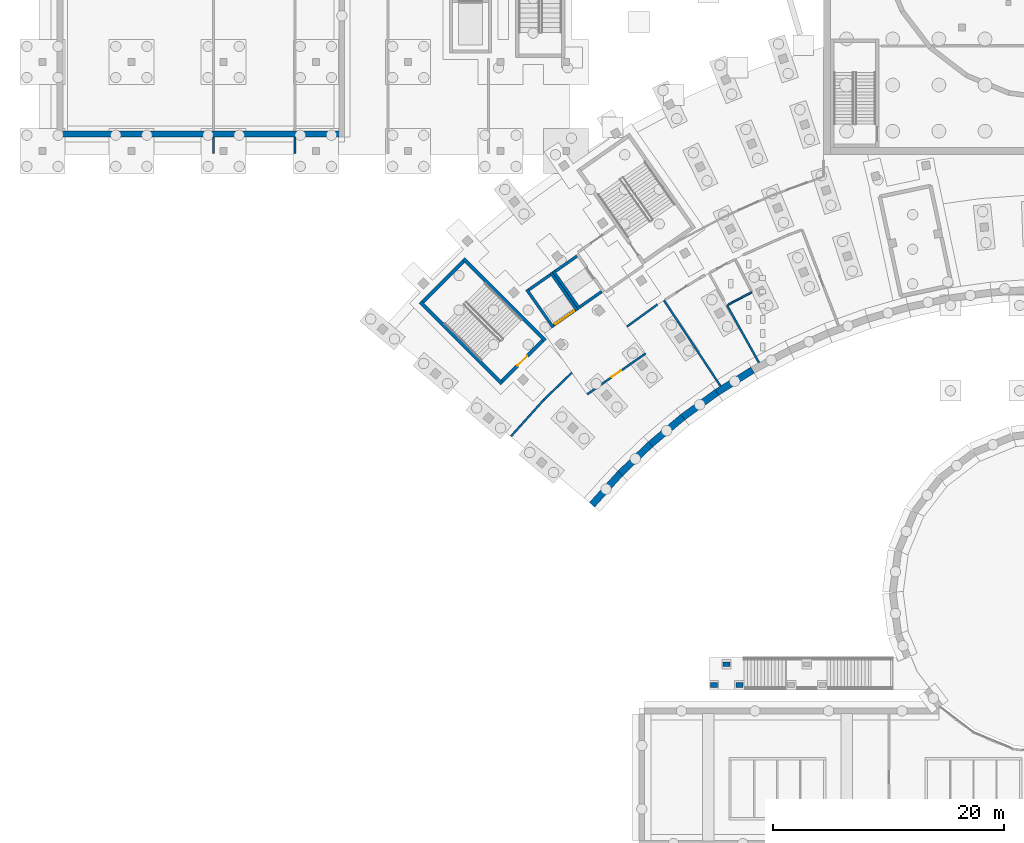
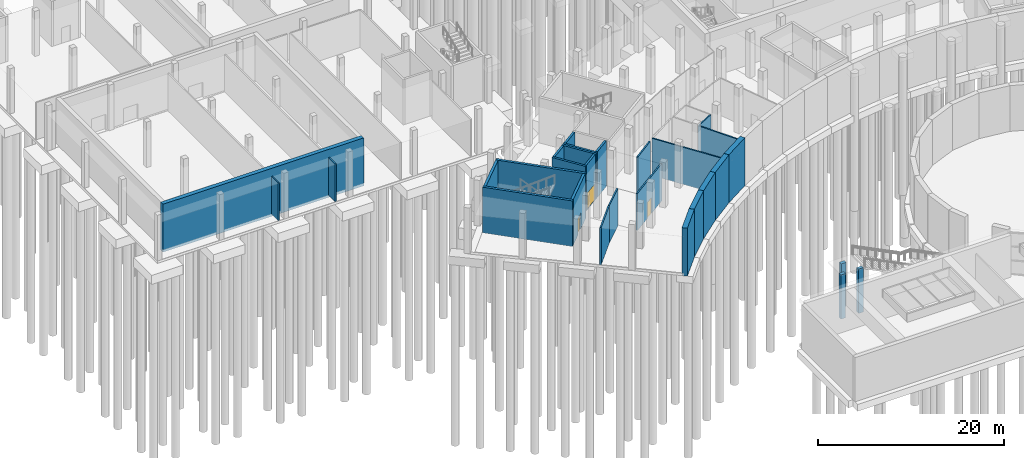
# One storey, part 19 of 66: 29 walls, 3 doors, 3 openings.
"""IFC4 building model written with IfcOpenShell, lengths in metres."""

from ifc_helpers import new_model, si_unit, direction, frame, frame_2d, origin, place, context, subcontext, project, spatial, rectangle, extrude, material, layer, layer_set, type_object, element, fill, save


model = new_model("IFC4")

# Units and contexts
model_context = context("Model", 3, precision=1e-05, world=origin(), true_north=direction((0.0, 1.0)))
body_context = subcontext(model_context, "Body", "Model", "MODEL_VIEW")
ifc_project = project(units=[si_unit("LENGTHUNIT", "METRE"), si_unit("AREAUNIT", "SQUARE_METRE"), si_unit("VOLUMEUNIT", "CUBIC_METRE"), si_unit("PLANEANGLEUNIT", "RADIAN"), si_unit("MASSUNIT", "GRAM", prefix="KILO")], contexts=[model_context])

# Site, building, storey
site_placement = place(None, origin())
site = spatial("IfcSite", under=ifc_project, at=site_placement, CompositionType="ELEMENT")
building_placement = place(site_placement, origin())
building = spatial("IfcBuilding", under=site, at=building_placement, Name="Lunette Opera House", CompositionType="ELEMENT")
storey_placement = place(building_placement, frame((0.0, 0.0, -6.0)))
storey = spatial("IfcBuildingStorey", under=building, at=storey_placement, Name="B1", CompositionType="ELEMENT", Elevation=-6.0)

# Walls
ifc_material_1 = material(Name="Plastered clay blockwork", Category="masonry")
ifc_layer_1 = layer(ifc_material_1, 0.175048828125)
ifc_layer_set_1 = layer_set([ifc_layer_1], Name="Plastered clay blockwork")
wall_type_1 = type_object("IfcWallType", Name="ACOUSTIC BLOCK PARTITION 175", PredefinedType="PARTITIONING", material=ifc_layer_set_1)
for number, where, z_axis, x_axis, name in (
    (1, (23.126953125, 65.4990234375, 0.0), (0.0, 0.0, 1.0), (0.0, -1.0, 0.0), "Partition Chorus Locker Room"),
    (2, (30.18603515625, 65.4990234375, 0.0), (0.0, 0.0, 1.0), (0.0, -1.0, 0.0), "Partition Rehearsal Wing Plant Room"),
):
    element("IfcWall", number, at=place(storey_placement, frame(where, z_axis=z_axis, x_axis=x_axis)), inside=storey, type_object=wall_type_1, Name=name, PredefinedType="PARTITIONING", context=body_context, shape_type="SweptSolid", body=[
        extrude(rectangle(XDim=1.448974609375, YDim=0.175048828125, at=frame_2d((0.724609375, 0.0))), origin(), (0.0, 0.0, 1.0), 4.949951171875),
    ])
wall_1_placement = place(storey_placement, frame((67.069091796875, 43.909912109375, 0.0), z_axis=(0.0, 0.0, 1.0), x_axis=(-0.550119419118, 0.835085998391, 0.0)))
element("IfcWall", 3, at=wall_1_placement, inside=storey, type_object=wall_type_1, Name="Partition Crescent Plant Room", PredefinedType="PARTITIONING", context=body_context, shape_type="SweptSolid", body=[
    extrude(rectangle(XDim=8.896240234375, YDim=0.175048828125, at=frame_2d((4.4482421875, 0.0))), origin(), (0.0, 0.0, 1.0), 4.8798828125),
])
wall_2_placement = place(storey_placement, frame((70.408935546875, 45.929931640625, 0.0), z_axis=(0.0, 0.0, 1.0), x_axis=(-0.486704961132, 0.873566414653, 0.0)))
element("IfcWall", 4, at=wall_2_placement, inside=storey, type_object=wall_type_1, Name="Partition Refuse Store", PredefinedType="PARTITIONING", context=body_context, shape_type="SweptSolid", body=[
    extrude(rectangle(XDim=5.697509765625, YDim=0.175048828125, at=frame_2d((2.8486328125, 0.0))), origin(), (0.0, 0.0, 1.0), 4.8798828125),
])

# Wall, opening, door
wall_3_placement = place(storey_placement, frame((60.5859375, 46.739990234375, 0.0), z_axis=(0.0, 0.0, 1.0), x_axis=(-0.81912644488, -0.573612994359, 0.0)))
wall_3 = element("IfcWall", 5, at=wall_3_placement, inside=storey, type_object=wall_type_1, Name="Partition Crescent Plant Room", PredefinedType="PARTITIONING", context=body_context, shape_type="SweptSolid", body=[
    extrude(rectangle(XDim=6.19921875, YDim=0.175048828125, at=frame_2d((3.099609375, 0.0))), origin(), (0.0, 0.0, 1.0), 4.8798828125),
])
opening_1_placement = place(wall_3_placement, frame((2.60009765625, 0.0, 0.0)))
opening_1 = element("IfcOpeningElement", 6, at=opening_1_placement, cuts=wall_3, Name="Opening FC-D3010", PredefinedType="OPENING", context=body_context, shape_type="SweptSolid", body=[
    extrude(rectangle(XDim=1.0, YDim=2.10009765625, at=frame_2d((0.5, 1.050048828125))), frame((0.0, 0.099609375, 0.0), z_axis=(0.0, -1.0, 0.0), x_axis=(1.0, 0.0, 0.0)), (0.0, 0.0, 1.0), 0.198974609375),
])
ifc_material_2 = material(Name="Timber", Category="wood")
door_type_1 = type_object("IfcDoorType", Name="FLUSH DOOR 1000 X 2100", OperationType="SINGLE_SWING_LEFT", PredefinedType="DOOR", material=ifc_material_2)
door_1_placement = place(opening_1_placement, origin())
door_1 = element("IfcDoor", 7, at=door_1_placement, inside=storey, type_object=door_type_1, Name="Crescent Plant Room door", OperationType="SINGLE_SWING_RIGHT", OverallHeight=2.10009765625, OverallWidth=1.0, PredefinedType="DOOR", context=body_context, shape_type="SweptSolid", body=[
    extrude(rectangle(XDim=1.0, YDim=2.10009765625, at=frame_2d((0.5, 1.050048828125))), frame((0.0, 0.02490234375, 0.0), z_axis=(0.0, -1.0, 0.0), x_axis=(1.0, 0.0, 0.0)), (0.0, 0.0, 1.0), 0.050048828125),
])
fill(opening_1, door_1)

# Walls
wall_4_placement = place(storey_placement, frame((51.760986328125, 42.720947265625, 0.0), z_axis=(0.0, 0.0, 1.0), x_axis=(-0.669136395798, -0.743139612602, 0.0)))
element("IfcWall", 8, at=wall_4_placement, inside=storey, type_object=wall_type_1, Name="Partition Crescent Plant Room", PredefinedType="PARTITIONING", context=body_context, shape_type="SweptSolid", body=[
    extrude(rectangle(XDim=4.24267578125, YDim=0.175048828125, at=frame_2d((2.121337890625, 0.0))), origin(), (0.0, 0.0, 1.0), 4.8798828125),
])
wall_5_placement = place(storey_placement, frame((54.18896484375, 45.06689453125, 0.0), z_axis=(0.0, 0.0, 1.0), x_axis=(-0.719150966755, -0.694853860186, 0.0)))
element("IfcWall", 9, at=wall_5_placement, inside=storey, type_object=wall_type_1, Name="Partition Crescent Plant Room", PredefinedType="PARTITIONING", context=body_context, shape_type="SweptSolid", body=[
    extrude(rectangle(XDim=3.376220703125, YDim=0.175048828125, at=frame_2d((1.68798828125, 0.0))), origin(), (0.0, 0.0, 1.0), 4.8798828125),
])
wall_6_placement = place(storey_placement, frame((61.610107421875, 50.986083984375, 0.0), z_axis=(0.0, 0.0, 1.0), x_axis=(-0.808971364307, -0.587848051567, 0.0)))
element("IfcWall", 10, at=wall_6_placement, inside=storey, type_object=wall_type_1, Name="Partition Crescent Plant Room", PredefinedType="PARTITIONING", context=body_context, shape_type="SweptSolid", body=[
    extrude(rectangle(XDim=3.274658203125, YDim=0.175048828125, at=frame_2d((1.63720703125, 0.0))), origin(), (0.0, 0.0, 1.0), 4.8798828125),
])
ifc_material_3 = material(Name="Plastered clay blockwork", Category="masonry")
ifc_layer_2 = layer(ifc_material_3, 0.14990234375)
ifc_layer_set_2 = layer_set([ifc_layer_2], Name="Plastered clay blockwork")
wall_type_2 = type_object("IfcWallType", Name="BLOCK PARTITION 150", PredefinedType="PARTITIONING", material=ifc_layer_set_2)
wall_7_placement = place(storey_placement, frame((67.714111328125, 50.947998046875, 0.0), z_axis=(0.0, 0.0, 1.0), x_axis=(0.882658173398, 0.470015477334, 0.0)))
element("IfcWall", 11, at=wall_7_placement, inside=storey, type_object=wall_type_2, Name="Partition Accessible WC Lower", PredefinedType="PARTITIONING", context=body_context, shape_type="SweptSolid", body=[
    extrude(rectangle(XDim=2.323486328125, YDim=0.14990234375, at=frame_2d((1.16162109375, 0.0))), origin(), (0.0, 0.0, 1.0), 4.8798828125),
])
ifc_material_4 = material(Name="Concrete C35/45", Category="concrete")
ifc_layer_3 = layer(ifc_material_4, 0.39990234375)
ifc_layer_set_3 = layer_set([ifc_layer_3], Name="Concrete C35/45")
wall_type_3 = type_object("IfcWallType", Name="RAMP PIER WALL 400", PredefinedType="SOLIDWALL", material=ifc_layer_set_3)
for number, where, z_axis, x_axis, name in (
    (12, (66.199951171875, 18.0, 0.0), (0.0, 0.0, 1.0), (1.0, 0.0, 0.0), "Bearing pier FS1-L2-P1"),
    (13, (68.39990234375, 18.0, 0.0), (0.0, 0.0, 1.0), (1.0, 0.0, 0.0), "Bearing pier FS1-L2-P2"),
):
    element("IfcWall", number, at=place(storey_placement, frame(where, z_axis=z_axis, x_axis=x_axis)), inside=storey, type_object=wall_type_3, Name=name, PredefinedType="SOLIDWALL", context=body_context, shape_type="SweptSolid", body=[
        extrude(rectangle(XDim=0.60009765625, YDim=0.39990234375, at=frame_2d((0.300048828125, 0.0))), origin(), (0.0, 0.0, 1.0), 5.800048828125),
    ])
wall_8_placement = place(storey_placement, frame((67.300048828125, 19.800048828125, 0.0), z_axis=(0.0, 0.0, 1.0), x_axis=(1.0, 0.0, 0.0)))
element("IfcWall", 14, at=wall_8_placement, inside=storey, type_object=wall_type_3, Name="Bearing pier FS1-L2-P3", PredefinedType="SOLIDWALL", context=body_context, shape_type="SweptSolid", body=[
    extrude(rectangle(XDim=0.599853515625, YDim=0.39990234375, at=frame_2d((0.2998046875, 0.0))), origin(), (0.0, 0.0, 1.0), 5.800048828125),
])
ifc_material_5 = material(Name="Concrete C35/45", Category="concrete")
ifc_layer_4 = layer(ifc_material_5, 0.25)
ifc_layer_set_4 = layer_set([ifc_layer_4], Name="Concrete C35/45")
wall_type_4 = type_object("IfcWallType", Name="RC LIFT SHAFT WALL 250", PredefinedType="SOLIDWALL", material=ifc_layer_set_4)
wall_9_placement = place(storey_placement, frame((54.623046875, 55.1689453125, 0.0), z_axis=(0.0, 0.0, 1.0), x_axis=(-0.819226933165, -0.573469469089, 0.0)))
element("IfcWall", 15, at=wall_9_placement, inside=storey, type_object=wall_type_4, Name="FL2 shaft wall 2", PredefinedType="SOLIDWALL", context=body_context, shape_type="SweptSolid", body=[
    extrude(rectangle(XDim=2.2998046875, YDim=0.25, at=frame_2d((1.14990234375, 0.0))), origin(), (0.0, 0.0, 1.0), 6.0),
])
wall_10_placement = place(storey_placement, frame((52.56494140625, 53.881103515625, 0.0), z_axis=(0.0, 0.0, 1.0), x_axis=(0.573572956461, -0.819154480923, 0.0)))
element("IfcWall", 16, at=wall_10_placement, inside=storey, type_object=wall_type_4, Name="FL2 shaft wall 3", PredefinedType="SOLIDWALL", context=body_context, shape_type="SweptSolid", body=[
    extrude(rectangle(XDim=3.99951171875, YDim=0.25, at=frame_2d((1.999755859375, 0.0))), origin(), (0.0, 0.0, 1.0), 6.0),
])
wall_11_placement = place(storey_placement, frame((54.889892578125, 50.779052734375, 0.0), z_axis=(0.0, 0.0, 1.0), x_axis=(0.819366508838, 0.573270027295, 0.0)))
element("IfcWall", 17, at=wall_11_placement, inside=storey, type_object=wall_type_4, Name="FL2 shaft wall 4", PredefinedType="SOLIDWALL", context=body_context, shape_type="SweptSolid", body=[
    extrude(rectangle(XDim=2.300537109375, YDim=0.25, at=frame_2d((1.150390625, 0.0))), origin(), (0.0, 0.0, 1.0), 6.0),
])
wall_12_placement = place(storey_placement, frame((54.655029296875, 50.4609375, 0.0), z_axis=(0.0, 0.0, 1.0), x_axis=(-0.573572956461, 0.819154480923, 0.0)))
element("IfcWall", 18, at=wall_12_placement, inside=storey, type_object=wall_type_4, Name="LF1 shaft wall 1", PredefinedType="SOLIDWALL", context=body_context, shape_type="SweptSolid", body=[
    extrude(rectangle(XDim=3.99951171875, YDim=0.25, at=frame_2d((1.999755859375, 0.0))), origin(), (0.0, 0.0, 1.0), 6.0),
])
wall_13_placement = place(storey_placement, frame((52.330078125, 53.56298828125, 0.0), z_axis=(0.0, 0.0, 1.0), x_axis=(-0.819316661421, -0.57334126689, 0.0)))
element("IfcWall", 19, at=wall_13_placement, inside=storey, type_object=wall_type_4, Name="LF1 shaft wall 2", PredefinedType="SOLIDWALL", context=body_context, shape_type="SweptSolid", body=[
    extrude(rectangle(XDim=2.30078125, YDim=0.25, at=frame_2d((1.150390625, 0.0))), origin(), (0.0, 0.0, 1.0), 6.0),
])
wall_14_placement = place(storey_placement, frame((50.27099609375, 52.27490234375, 0.0), z_axis=(0.0, 0.0, 1.0), x_axis=(0.57360163893, -0.819134396675, 0.0)))
element("IfcWall", 20, at=wall_14_placement, inside=storey, type_object=wall_type_4, Name="LF1 shaft wall 3", PredefinedType="SOLIDWALL", context=body_context, shape_type="SweptSolid", body=[
    extrude(rectangle(XDim=3.999267578125, YDim=0.25, at=frame_2d((1.99951171875, 0.0))), origin(), (0.0, 0.0, 1.0), 6.0),
])

# Wall, opening, door
wall_15_placement = place(storey_placement, frame((52.595947265625, 49.173095703125, 0.0), z_axis=(0.0, 0.0, 1.0), x_axis=(0.819366508838, 0.573270027295, 0.0)))
wall_15 = element("IfcWall", 21, at=wall_15_placement, inside=storey, type_object=wall_type_4, Name="LF1 shaft wall 4", PredefinedType="SOLIDWALL", context=body_context, shape_type="SweptSolid", body=[
    extrude(rectangle(XDim=2.300537109375, YDim=0.25, at=frame_2d((1.150390625, 0.0))), origin(), (0.0, 0.0, 1.0), 6.0),
])
opening_2_placement = place(wall_15_placement, frame((0.199951171875, 0.0, 0.0)))
opening_2 = element("IfcOpeningElement", 22, at=opening_2_placement, cuts=wall_15, Name="Opening FC-LD013", PredefinedType="OPENING", context=body_context, shape_type="SweptSolid", body=[
    extrude(rectangle(XDim=2.0, YDim=2.199951171875, at=frame_2d((1.0, 1.10009765625))), frame((0.0, 0.136962890625, 0.0), z_axis=(0.0, -1.0, 0.0), x_axis=(1.0, 0.0, 0.0)), (0.0, 0.0, 1.0), 0.27392578125),
])
ifc_material_6 = material(Name="Stainless steel", Category="steel")
door_type_2 = type_object("IfcDoorType", Name="LIFT LANDING DOOR 2000 X 2200", OperationType="DOUBLE_DOOR_SLIDING", PredefinedType="DOOR", material=ifc_material_6)
door_2_placement = place(opening_2_placement, origin())
door_2 = element("IfcDoor", 23, at=door_2_placement, inside=storey, type_object=door_type_2, Name="LF1 lift landing door", OperationType="DOUBLE_DOOR_SLIDING", OverallHeight=2.199951171875, OverallWidth=2.0, PredefinedType="DOOR", context=body_context, shape_type="SweptSolid", body=[
    extrude(rectangle(XDim=2.0, YDim=2.199951171875, at=frame_2d((1.0, 1.10009765625))), frame((0.0, 0.02490234375, 0.0), z_axis=(0.0, -1.0, 0.0), x_axis=(1.0, 0.0, 0.0)), (0.0, 0.0, 1.0), 0.050048828125),
])
fill(opening_2, door_2)

ifc_material_7 = material(Name="Concrete C35/45", Category="concrete")
ifc_layer_5 = layer(ifc_material_7, 0.300048828125)
ifc_layer_set_5 = layer_set([ifc_layer_5], Name="Concrete C35/45")
wall_type_5 = type_object("IfcWallType", Name="RC STAIR ENCLOSURE WALL 300", PredefinedType="SOLIDWALL", material=ifc_layer_set_5)
wall_16_placement = place(storey_placement, frame((48.12890625, 44.3349609375, 0.0), z_axis=(0.0, 0.0, 1.0), x_axis=(0.707106781187, 0.707106781187, 0.0)))
wall_16 = element("IfcWall", 24, at=wall_16_placement, inside=storey, type_object=wall_type_5, Name="ST1 enclosure wall 1", PredefinedType="SOLIDWALL", context=body_context, shape_type="SweptSolid", body=[
    extrude(rectangle(XDim=5.000732421875, YDim=0.300048828125, at=frame_2d((2.50048828125, 0.0))), origin(), (0.0, 0.0, 1.0), 6.0),
])
opening_3_placement = place(wall_16_placement, frame((1.89990234375, 0.0, 0.0)))
opening_3 = element("IfcOpeningElement", 25, at=opening_3_placement, cuts=wall_16, Name="Opening FC-D7007", PredefinedType="OPENING", context=body_context, shape_type="SweptSolid", body=[
    extrude(rectangle(XDim=1.199951171875, YDim=2.10009765625, at=frame_2d((0.60009765625, 1.050048828125))), frame((0.0, 0.162109375, 0.0), z_axis=(0.0, -1.0, 0.0), x_axis=(1.0, 0.0, 0.0)), (0.0, 0.0, 1.0), 0.323974609375),
])
ifc_material_8 = material(Name="Steel", Category="steel")
door_type_3 = type_object("IfcDoorType", Name="FIRE DOOR 1200 X 2100", OperationType="SINGLE_SWING_LEFT", PredefinedType="DOOR", material=ifc_material_8)
door_3_placement = place(opening_3_placement, origin())
door_3 = element("IfcDoor", 26, at=door_3_placement, inside=storey, type_object=door_type_3, Name="ST1 stair door", OperationType="SINGLE_SWING_LEFT", OverallHeight=2.10009765625, OverallWidth=1.199951171875, PredefinedType="DOOR", context=body_context, shape_type="SweptSolid", body=[
    extrude(rectangle(XDim=1.199951171875, YDim=2.10009765625, at=frame_2d((0.60009765625, 1.050048828125))), frame((0.0, 0.02490234375, 0.0), z_axis=(0.0, -1.0, 0.0), x_axis=(1.0, 0.0, 0.0)), (0.0, 0.0, 1.0), 0.050048828125),
])
fill(opening_3, door_3)

# Walls
wall_17_placement = place(storey_placement, frame((51.876953125, 47.87109375, 0.0), z_axis=(0.0, 0.0, 1.0), x_axis=(-0.707118988363, 0.7070945738, 0.0)))
element("IfcWall", 27, at=wall_17_placement, inside=storey, type_object=wall_type_5, Name="ST1 enclosure wall 2", PredefinedType="SOLIDWALL", context=body_context, shape_type="SweptSolid", body=[
    extrude(rectangle(XDim=9.999755859375, YDim=0.300048828125, at=frame_2d((5.0, 0.0))), origin(), (0.0, 0.0, 1.0), 6.0),
])
wall_18_placement = place(storey_placement, frame((44.805908203125, 54.72998046875, 0.0), z_axis=(0.0, 0.0, 1.0), x_axis=(-0.707106781187, -0.707106781187, 0.0)))
element("IfcWall", 28, at=wall_18_placement, inside=storey, type_object=wall_type_5, Name="ST1 enclosure wall 3", PredefinedType="SOLIDWALL", context=body_context, shape_type="SweptSolid", body=[
    extrude(rectangle(XDim=5.00048828125, YDim=0.300048828125, at=frame_2d((2.500244140625, 0.0))), origin(), (0.0, 0.0, 1.0), 6.0),
])
wall_19_placement = place(storey_placement, frame((41.05810546875, 51.194091796875, 0.0), z_axis=(0.0, 0.0, 1.0), x_axis=(0.7070945738, -0.707118988363, 0.0)))
element("IfcWall", 29, at=wall_19_placement, inside=storey, type_object=wall_type_5, Name="ST1 enclosure wall 4", PredefinedType="SOLIDWALL", context=body_context, shape_type="SweptSolid", body=[
    extrude(rectangle(XDim=9.999755859375, YDim=0.300048828125, at=frame_2d((5.0, 0.0))), origin(), (0.0, 0.0, 1.0), 6.0),
])
ifc_material_9 = material(Name="Concrete C35/45", Category="concrete")
ifc_layer_6 = layer(ifc_material_9, 0.5)
ifc_layer_set_6 = layer_set([ifc_layer_6], Name="Concrete C35/45")
wall_type_6 = type_object("IfcWallType", Name="RC WALL 500", PredefinedType="SHEAR", material=ifc_layer_set_6)
wall_20_placement = place(storey_placement, frame((9.56005859375, 65.75, -0.300048828125), z_axis=(0.0, 0.0, 1.0), x_axis=(1.0, 0.0, 0.0)))
element("IfcWall", 30, at=wall_20_placement, inside=storey, type_object=wall_type_6, Name="wall-RW-B1-HW-S-1", PredefinedType="SHEAR", context=body_context, shape_type="SweptSolid", body=[
    extrude(rectangle(XDim=24.93994140625, YDim=0.5, at=frame_2d((12.469970703125, 0.0))), origin(), (0.0, 0.0, 1.0), 6.300048828125),
])
ifc_material_10 = material(Name="Concrete C40/50", Category="concrete")
ifc_layer_7 = layer(ifc_material_10, 0.60009765625)
ifc_layer_set_7 = layer_set([ifc_layer_7], Name="Concrete C40/50")
wall_type_7 = type_object("IfcWallType", Name="RETAINING WALL 600", PredefinedType="SOLIDWALL", material=ifc_layer_set_7)
wall_21_placement = place(storey_placement, frame((55.93603515625, 33.617919921875, -0.300048828125), z_axis=(0.0, 0.0, 1.0), x_axis=(0.669123584083, 0.743151148303, 0.0)))
element("IfcWall", 31, at=wall_21_placement, inside=storey, type_object=wall_type_7, Name="wall-FC-B1-BW01", PredefinedType="SOLIDWALL", context=body_context, shape_type="SweptSolid", body=[
    extrude(rectangle(XDim=3.65087890625, YDim=0.60009765625, at=frame_2d((1.825439453125, 0.0))), origin(), (0.0, 0.0, 1.0), 6.300048828125),
])
wall_22_placement = place(storey_placement, frame((58.37890625, 36.3310546875, -0.300048828125), z_axis=(0.0, 0.0, 1.0), x_axis=(0.719342665611, 0.69465540337, 0.0)))
element("IfcWall", 32, at=wall_22_placement, inside=storey, type_object=wall_type_7, Name="wall-FC-B1-BW02", PredefinedType="SOLIDWALL", context=body_context, shape_type="SweptSolid", body=[
    extrude(rectangle(XDim=3.649169921875, YDim=0.60009765625, at=frame_2d((1.82470703125, 0.0))), origin(), (0.0, 0.0, 1.0), 6.300048828125),
])
wall_23_placement = place(storey_placement, frame((61.00390625, 38.865966796875, -0.300048828125), z_axis=(0.0, 0.0, 1.0), x_axis=(0.766063027659, 0.642765460844, 0.0)))
element("IfcWall", 33, at=wall_23_placement, inside=storey, type_object=wall_type_7, Name="wall-FC-B1-BW03", PredefinedType="SOLIDWALL", context=body_context, shape_type="SweptSolid", body=[
    extrude(rectangle(XDim=3.6513671875, YDim=0.60009765625, at=frame_2d((1.82568359375, 0.0))), origin(), (0.0, 0.0, 1.0), 6.300048828125),
])
wall_24_placement = place(storey_placement, frame((63.801025390625, 41.212890625, -0.300048828125), z_axis=(0.0, 0.0, 1.0), x_axis=(0.808938490191, 0.587893288861, 0.0)))
element("IfcWall", 34, at=wall_24_placement, inside=storey, type_object=wall_type_7, Name="wall-FC-B1-BW04", PredefinedType="SOLIDWALL", context=body_context, shape_type="SweptSolid", body=[
    extrude(rectangle(XDim=3.650390625, YDim=0.60009765625, at=frame_2d((1.8251953125, 0.0))), origin(), (0.0, 0.0, 1.0), 6.300048828125),
])
wall_25_placement = place(storey_placement, frame((66.75390625, 43.35888671875, -0.300048828125), z_axis=(0.0, 0.0, 1.0), x_axis=(0.84812602074, 0.529794538424, 0.0)))
element("IfcWall", 35, at=wall_25_placement, inside=storey, type_object=wall_type_7, Name="wall-FC-B1-BW05", PredefinedType="SOLIDWALL", context=body_context, shape_type="SweptSolid", body=[
    extrude(rectangle(XDim=3.650634765625, YDim=0.60009765625, at=frame_2d((1.8251953125, 0.0))), origin(), (0.0, 0.0, 1.0), 6.300048828125),
])

save(model, "model.ifc")
